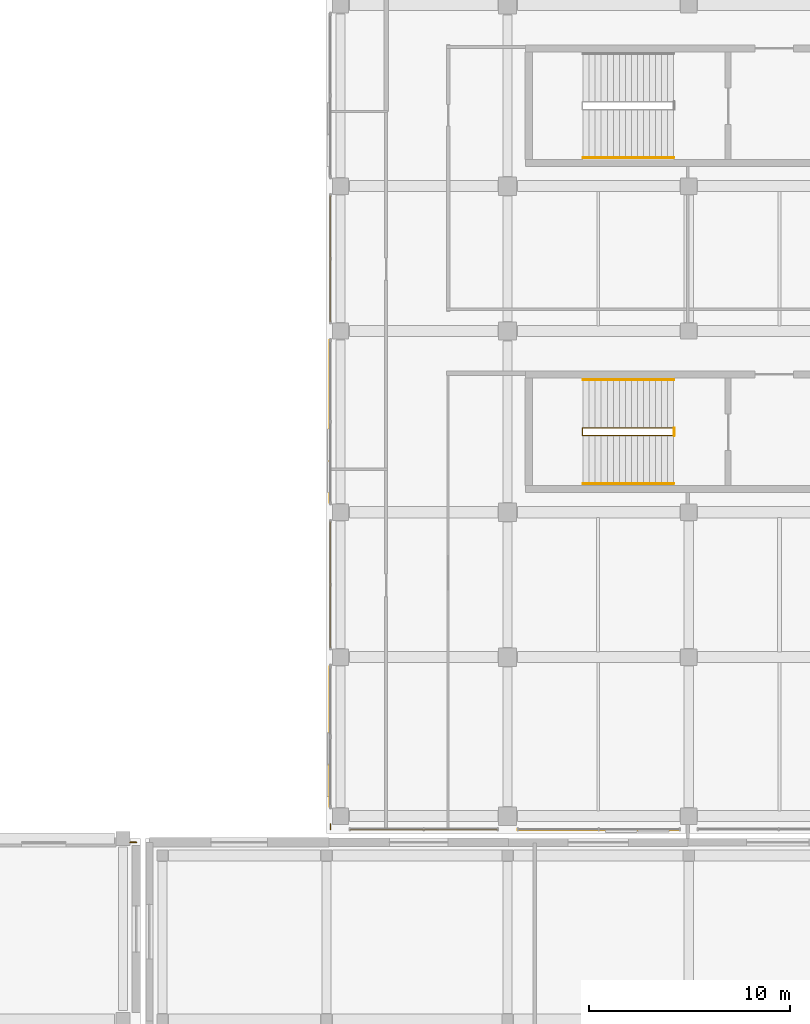
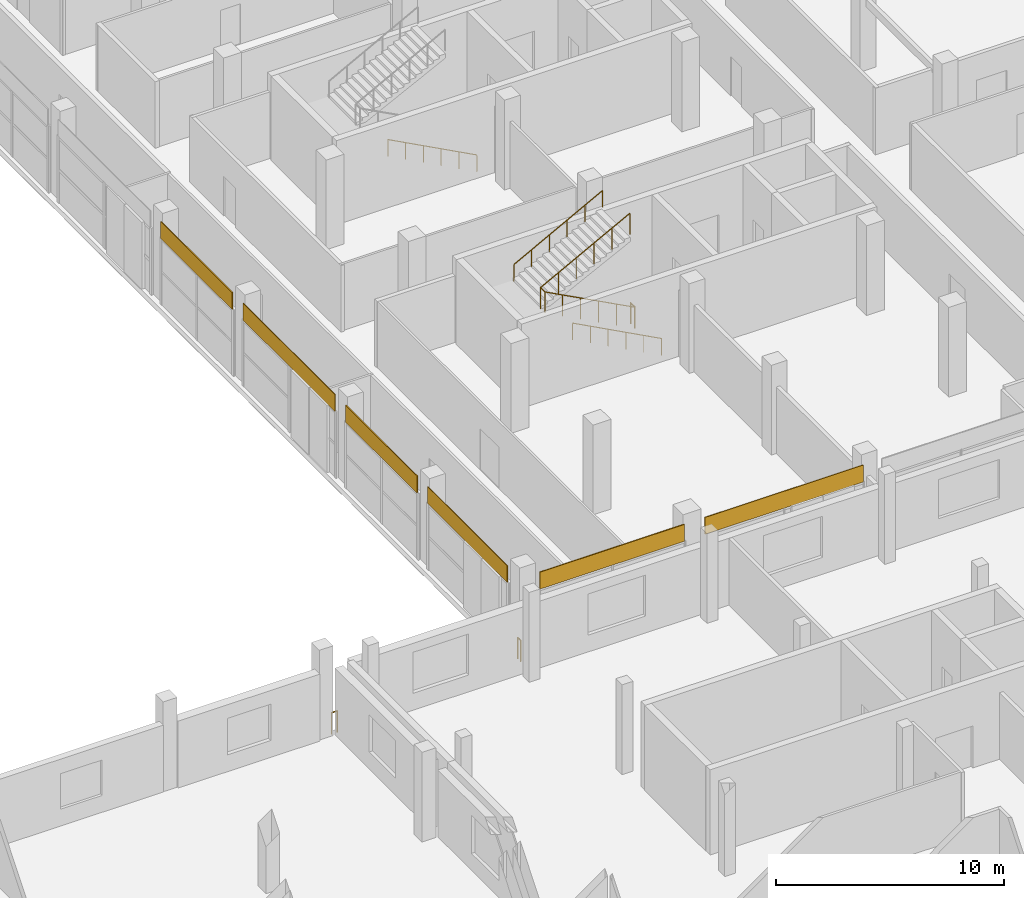
# One storey, part 101 of 111: 7 railings, 6 coverings.
"""IFC4 building model written with IfcOpenShell, lengths in metres."""

from ifc_helpers import new_model, si_unit, direction, frame, origin, origin_2d, place, context, subcontext, project, spatial, rectangle, circle, extrude, material, layer, layer_set, type_object, element, save


model = new_model("IFC4")

# Units and contexts
model_context = context("Model", 3, precision=1e-05, world=origin(), true_north=direction((0.0, 1.0)))
body_context = subcontext(model_context, "Body", "Model", "MODEL_VIEW")
ifc_project = project(units=[si_unit("LENGTHUNIT", "METRE"), si_unit("AREAUNIT", "SQUARE_METRE"), si_unit("VOLUMEUNIT", "CUBIC_METRE"), si_unit("PLANEANGLEUNIT", "RADIAN"), si_unit("MASSUNIT", "GRAM", prefix="KILO"), si_unit("THERMODYNAMICTEMPERATUREUNIT", "KELVIN"), si_unit("POWERUNIT", "WATT")], contexts=[model_context])

# Site, building, storey
site_placement = place(None, origin())
site = spatial("IfcSite", under=ifc_project, at=site_placement, CompositionType="ELEMENT")
building_placement = place(site_placement, origin())
building = spatial("IfcBuilding", under=site, at=building_placement, Name="Sindhuravela Promenade Stadium", CompositionType="ELEMENT")
storey_placement = place(building_placement, frame((0.0, 0.0, 9.60009765625)))
storey = spatial("IfcBuildingStorey", under=building, at=storey_placement, Name="L02", CompositionType="ELEMENT", Elevation=9.60009765625)

# Coverings
ifc_material_1 = material(Name="Polychrome trencadis ceramic mosaic", Category="masonry")
ifc_layer_1 = layer(ifc_material_1, 0.034912109375)
ifc_layer_set_1 = layer_set([ifc_layer_1], Name="Polychrome trencadis ceramic mosaic")
covering_type_1 = type_object("IfcCoveringType", Name="CV-TRENC-1", PredefinedType="CLADDING", material=ifc_layer_set_1)
covering_1_placement = place(storey_placement, frame((171.179931640625, 41.050048828125, 3.5546875), z_axis=(0.0, 0.0, 1.0), x_axis=(0.0, 1.0, 0.0)))
element("IfcCovering", 1, at=covering_1_placement, inside=storey, type_object=covering_type_1, Name="Trencadis ceramic mosaic spandrel frieze EAST L02-170", PredefinedType="CLADDING", context=body_context, shape_type="SweptSolid", body=[
    extrude(rectangle(XDim=6.969970703125, YDim=0.034912109375, at=origin_2d()), origin(), (0.0, 0.0, 1.0), 0.905029296875),
])
covering_2_placement = place(storey_placement, frame((171.179931640625, 56.699951171875, 3.5546875), z_axis=(0.0, 0.0, 1.0), x_axis=(0.0, 1.0, 0.0)))
element("IfcCovering", 2, at=covering_2_placement, inside=storey, type_object=covering_type_1, Name="Trencadis ceramic mosaic spandrel frieze EAST L02-172", PredefinedType="CLADDING", context=body_context, shape_type="SweptSolid", body=[
    extrude(rectangle(XDim=8.070068359375, YDim=0.034912109375, at=origin_2d()), origin(), (0.0, 0.0, 1.0), 0.905029296875),
])
covering_3_placement = place(storey_placement, frame((184.52490234375, 36.429931640625, 3.5546875), z_axis=(0.0, 0.0, 1.0), x_axis=(-1.0, 0.0, 0.0)))
element("IfcCovering", 3, at=covering_3_placement, inside=storey, type_object=covering_type_1, Name="Trencadis ceramic mosaic spandrel frieze EAST L02-198", PredefinedType="CLADDING", context=body_context, shape_type="SweptSolid", body=[
    extrude(rectangle(XDim=8.02001953125, YDim=0.034912109375, at=origin_2d()), origin(), (0.0, 0.0, 1.0), 0.905029296875),
])
ifc_layer_2 = layer(ifc_material_1, 0.050048828125)
ifc_layer_set_2 = layer_set([ifc_layer_2], Name="Polychrome trencadis ceramic mosaic")
covering_type_2 = type_object("IfcCoveringType", Name="CV-TRENC-2", PredefinedType="CLADDING", material=ifc_layer_set_2)
for number, where, z_axis, x_axis, name in (
    (4, (171.179931640625, 48.60009765625, 3.5546875), (0.0, 0.0, 1.0), (0.0, 1.0, 0.0), "Trencadis ceramic mosaic spandrel frieze EAST L02-171"),
    (5, (171.179931640625, 64.800048828125, 3.5546875), (0.0, 0.0, 1.0), (0.0, 1.0, 0.0), "Trencadis ceramic mosaic spandrel frieze EAST L02-173"),
):
    element("IfcCovering", number, at=place(storey_placement, frame(where, z_axis=z_axis, x_axis=x_axis)), inside=storey, type_object=covering_type_2, Name=name, PredefinedType="CLADDING", context=body_context, shape_type="SweptSolid", body=[
        extrude(rectangle(XDim=6.27001953125, YDim=0.050048828125, at=origin_2d()), origin(), (0.0, 0.0, 1.0), 0.905029296875),
    ])
covering_4_placement = place(storey_placement, frame((175.824951171875, 36.429931640625, 3.5546875), z_axis=(0.0, 0.0, 1.0), x_axis=(-1.0, 0.0, 0.0)))
element("IfcCovering", 6, at=covering_4_placement, inside=storey, type_object=covering_type_2, Name="Trencadis ceramic mosaic spandrel frieze EAST L02-199", PredefinedType="CLADDING", context=body_context, shape_type="SweptSolid", body=[
    extrude(rectangle(XDim=7.320068359375, YDim=0.050048828125, at=origin_2d()), origin(), (0.0, 0.0, 1.0), 0.905029296875),
])

# Railings
ifc_material_2 = material(Name="Architectural wrought steel E350", Category="steel")
railing_type_1 = type_object("IfcRailingType", Name="RL-GRD-1150", PredefinedType="GUARDRAIL", material=ifc_material_2)
railing_1_placement = place(storey_placement, frame((171.199951171875, 36.449951171875, 0.0)))
element("IfcRailing", 7, at=railing_1_placement, inside=storey, type_object=railing_type_1, Name="Perimeter edge return guard EAST L02", PredefinedType="GUARDRAIL", context=body_context, shape_type="SweptSolid", body=[
    extrude(circle(Radius=0.02392578125, at=origin_2d()), frame((0.0, 0.0, 1.1259765625), z_axis=(0.0, 1.0, 0.0), x_axis=(-1.0, 0.0, 0.0)), (0.0, 0.0, 1.0), 0.2451171875),
    extrude(circle(Radius=0.02099609375, at=origin_2d()), origin(), (0.0, 0.0, 1.0), 1.101806640625),
    extrude(circle(Radius=0.02099609375, at=origin_2d()), frame((0.0, 0.2451171875, 0.0)), (0.0, 0.0, 1.0), 1.101806640625),
])
railing_2_placement = place(storey_placement, frame((161.2548828125, 35.800048828125, 0.0)))
element("IfcRailing", 8, at=railing_2_placement, inside=storey, type_object=railing_type_1, Name="Perimeter edge return guard SOUTH L02", PredefinedType="GUARDRAIL", context=body_context, shape_type="SweptSolid", body=[
    extrude(circle(Radius=0.02392578125, at=origin_2d()), frame((0.0, 0.0, 1.1259765625), z_axis=(1.0, 0.0, 0.0), x_axis=(0.0, 1.0, 0.0)), (0.0, 0.0, 1.0), 0.295166015625),
    extrude(circle(Radius=0.02099609375, at=origin_2d()), origin(), (0.0, 0.0, 1.0), 1.101806640625),
    extrude(circle(Radius=0.02099609375, at=origin_2d()), frame((0.295166015625, 0.0, 0.0)), (0.0, 0.0, 1.0), 1.101806640625),
])
railing_3_placement = place(storey_placement, frame((188.25, 56.010009765625, 0.0)))
element("IfcRailing", 9, at=railing_3_placement, inside=storey, type_object=railing_type_1, Name="Stair ST05 inner well guard (L02)", PredefinedType="GUARDRAIL", context=body_context, shape_type="SweptSolid", body=[
    extrude(circle(Radius=0.02392578125, at=origin_2d()), frame((0.0, 0.0, 1.1259765625), z_axis=(-0.8836546633431795, 0.0, 0.46813933390802775), x_axis=(0.0, -1.0, 0.0)), (0.0, 0.0, 1.0), 5.12646484375),
    extrude(circle(Radius=0.02392578125, at=origin_2d()), frame((-4.530029296875, 0.0, 3.52587890625), z_axis=(0.0, 1.0, 0.0), x_axis=(-1.0, 0.0, 0.0)), (0.0, 0.0, 1.0), 0.3798828125),
    extrude(circle(Radius=0.02392578125, at=origin_2d()), frame((-4.530029296875, 0.3798828125, 3.52587890625), z_axis=(0.8836546633431795, 0.0, 0.46813933390802775), x_axis=(0.0, 1.0, 0.0)), (0.0, 0.0, 1.0), 5.12646484375),
    extrude(circle(Radius=0.02099609375, at=origin_2d()), origin(), (0.0, 0.0, 1.0), 1.101806640625),
    extrude(circle(Radius=0.02099609375, at=origin_2d()), frame((-0.906005859375, 0.0, 0.47998046875)), (0.0, 0.0, 1.0), 1.101806640625),
    extrude(circle(Radius=0.02099609375, at=origin_2d()), frame((-1.81201171875, 0.0, 0.9599609375)), (0.0, 0.0, 1.0), 1.101806640625),
    extrude(circle(Radius=0.02099609375, at=origin_2d()), frame((-2.718017578125, 0.0, 1.43994140625)), (0.0, 0.0, 1.0), 1.101806640625),
    extrude(circle(Radius=0.02099609375, at=origin_2d()), frame((-3.6240234375, 0.0, 1.919921875)), (0.0, 0.0, 1.0), 1.101806640625),
    extrude(circle(Radius=0.02099609375, at=origin_2d()), frame((-4.530029296875, 0.0, 2.39990234375)), (0.0, 0.0, 1.0), 1.101806640625),
    extrude(circle(Radius=0.02099609375, at=origin_2d()), frame((-4.530029296875, 0.3798828125, 2.39990234375)), (0.0, 0.0, 1.0), 1.101806640625),
    extrude(circle(Radius=0.02099609375, at=origin_2d()), frame((-3.6240234375, 0.3798828125, 2.8798828125)), (0.0, 0.0, 1.0), 1.101806640625),
    extrude(circle(Radius=0.02099609375, at=origin_2d()), frame((-2.718017578125, 0.3798828125, 3.35986328125)), (0.0, 0.0, 1.0), 1.101806640625),
    extrude(circle(Radius=0.02099609375, at=origin_2d()), frame((-1.81201171875, 0.3798828125, 3.83984375)), (0.0, 0.0, 1.0), 1.101806640625),
    extrude(circle(Radius=0.02099609375, at=origin_2d()), frame((-0.906005859375, 0.3798828125, 4.31982421875)), (0.0, 0.0, 1.0), 1.101806640625),
    extrude(circle(Radius=0.02099609375, at=origin_2d()), frame((0.0, 0.3798828125, 4.7998046875)), (0.0, 0.0, 1.0), 1.101806640625),
])
railing_4_placement = place(storey_placement, frame((188.280029296875, 56.010009765625, 0.0)))
element("IfcRailing", 10, at=railing_4_placement, inside=storey, type_object=railing_type_1, Name="Stair ST05 landing well slot guard (L02)", PredefinedType="GUARDRAIL", context=body_context, shape_type="SweptSolid", body=[
    extrude(circle(Radius=0.02392578125, at=origin_2d()), frame((0.0, 0.0, 1.1259765625), z_axis=(0.0, 1.0, 0.0), x_axis=(-1.0, 0.0, 0.0)), (0.0, 0.0, 1.0), 0.3798828125),
    extrude(circle(Radius=0.02099609375, at=origin_2d()), origin(), (0.0, 0.0, 1.0), 1.101806640625),
    extrude(circle(Radius=0.02099609375, at=origin_2d()), frame((0.0, 0.3798828125, 0.0)), (0.0, 0.0, 1.0), 1.101806640625),
])
railing_type_2 = type_object("IfcRailingType", Name="RL-HND-920", PredefinedType="HANDRAIL", material=ifc_material_2)
railing_5_placement = place(storey_placement, frame((188.25, 53.6201171875, 0.0)))
element("IfcRailing", 11, at=railing_5_placement, inside=storey, type_object=railing_type_2, Name="Stair ST05 lower wall handrail (L02)", PredefinedType="HANDRAIL", context=body_context, shape_type="SweptSolid", body=[
    extrude(circle(Radius=0.02392578125, at=origin_2d()), frame((0.0, 0.0, 0.89599609375), z_axis=(-0.8823608919668723, 0.0, 0.4705733272588083), x_axis=(0.0, -1.0, 0.0)), (0.0, 0.0, 1.0), 5.099853515625),
    extrude(circle(Radius=0.02099609375, at=origin_2d()), origin(), (0.0, 0.0, 1.0), 0.871826171875),
    extrude(circle(Radius=0.02099609375, at=origin_2d()), frame((-0.89990234375, 0.0, 0.47998046875)), (0.0, 0.0, 1.0), 0.871826171875),
    extrude(circle(Radius=0.02099609375, at=origin_2d()), frame((-1.800048828125, 0.0, 0.9599609375)), (0.0, 0.0, 1.0), 0.871826171875),
    extrude(circle(Radius=0.02099609375, at=origin_2d()), frame((-2.699951171875, 0.0, 1.43994140625)), (0.0, 0.0, 1.0), 0.871826171875),
    extrude(circle(Radius=0.02099609375, at=origin_2d()), frame((-3.60009765625, 0.0, 1.919921875)), (0.0, 0.0, 1.0), 0.871826171875),
    extrude(circle(Radius=0.02099609375, at=origin_2d()), frame((-4.5, 0.0, 2.39990234375)), (0.0, 0.0, 1.0), 0.871826171875),
])
railing_6_placement = place(storey_placement, frame((183.75, 58.780029296875, 2.39990234375)))
element("IfcRailing", 12, at=railing_6_placement, inside=storey, type_object=railing_type_2, Name="Stair ST05 upper wall handrail (L02)", PredefinedType="HANDRAIL", context=body_context, shape_type="SweptSolid", body=[
    extrude(circle(Radius=0.02392578125, at=origin_2d()), frame((0.0, 0.0, 0.89599609375), z_axis=(0.8823608919668723, 0.0, 0.4705733272588083), x_axis=(0.0, 1.0, 0.0)), (0.0, 0.0, 1.0), 5.099853515625),
    extrude(circle(Radius=0.02099609375, at=origin_2d()), origin(), (0.0, 0.0, 1.0), 0.871826171875),
    extrude(circle(Radius=0.02099609375, at=origin_2d()), frame((0.89990234375, 0.0, 0.47998046875)), (0.0, 0.0, 1.0), 0.871826171875),
    extrude(circle(Radius=0.02099609375, at=origin_2d()), frame((1.800048828125, 0.0, 0.9599609375)), (0.0, 0.0, 1.0), 0.871826171875),
    extrude(circle(Radius=0.02099609375, at=origin_2d()), frame((2.699951171875, 0.0, 1.43994140625)), (0.0, 0.0, 1.0), 0.871826171875),
    extrude(circle(Radius=0.02099609375, at=origin_2d()), frame((3.60009765625, 0.0, 1.919921875)), (0.0, 0.0, 1.0), 0.871826171875),
    extrude(circle(Radius=0.02099609375, at=origin_2d()), frame((4.5, 0.0, 2.39990234375)), (0.0, 0.0, 1.0), 0.871826171875),
])
railing_7_placement = place(storey_placement, frame((188.25, 69.820068359375, 0.0)))
element("IfcRailing", 13, at=railing_7_placement, inside=storey, type_object=railing_type_2, Name="Stair ST06 lower wall handrail (L02)", PredefinedType="HANDRAIL", context=body_context, shape_type="SweptSolid", body=[
    extrude(circle(Radius=0.02392578125, at=origin_2d()), frame((0.0, 0.0, 0.89599609375), z_axis=(-0.8823608919668723, 0.0, 0.4705733272588083), x_axis=(0.0, -1.0, 0.0)), (0.0, 0.0, 1.0), 5.099853515625),
    extrude(circle(Radius=0.02099609375, at=origin_2d()), origin(), (0.0, 0.0, 1.0), 0.871826171875),
    extrude(circle(Radius=0.02099609375, at=origin_2d()), frame((-0.89990234375, 0.0, 0.47998046875)), (0.0, 0.0, 1.0), 0.871826171875),
    extrude(circle(Radius=0.02099609375, at=origin_2d()), frame((-1.800048828125, 0.0, 0.9599609375)), (0.0, 0.0, 1.0), 0.871826171875),
    extrude(circle(Radius=0.02099609375, at=origin_2d()), frame((-2.699951171875, 0.0, 1.43994140625)), (0.0, 0.0, 1.0), 0.871826171875),
    extrude(circle(Radius=0.02099609375, at=origin_2d()), frame((-3.60009765625, 0.0, 1.919921875)), (0.0, 0.0, 1.0), 0.871826171875),
    extrude(circle(Radius=0.02099609375, at=origin_2d()), frame((-4.5, 0.0, 2.39990234375)), (0.0, 0.0, 1.0), 0.871826171875),
])

save(model, "model.ifc")
